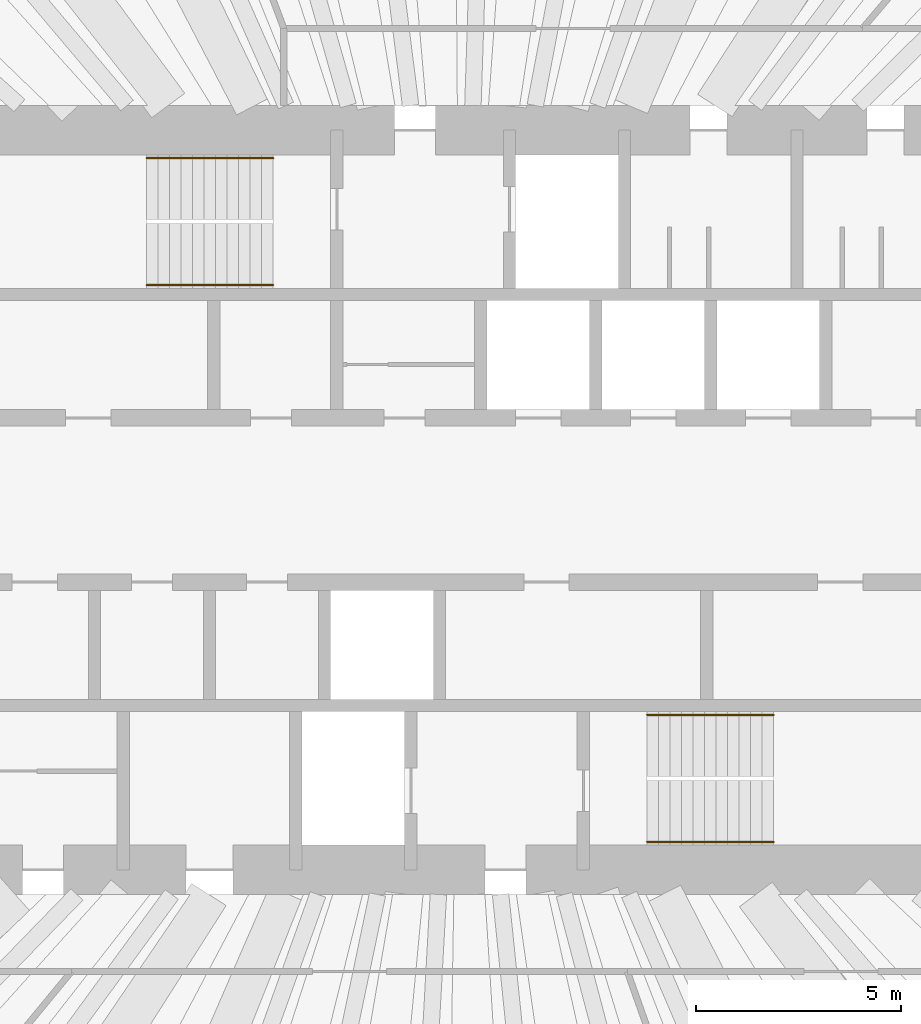
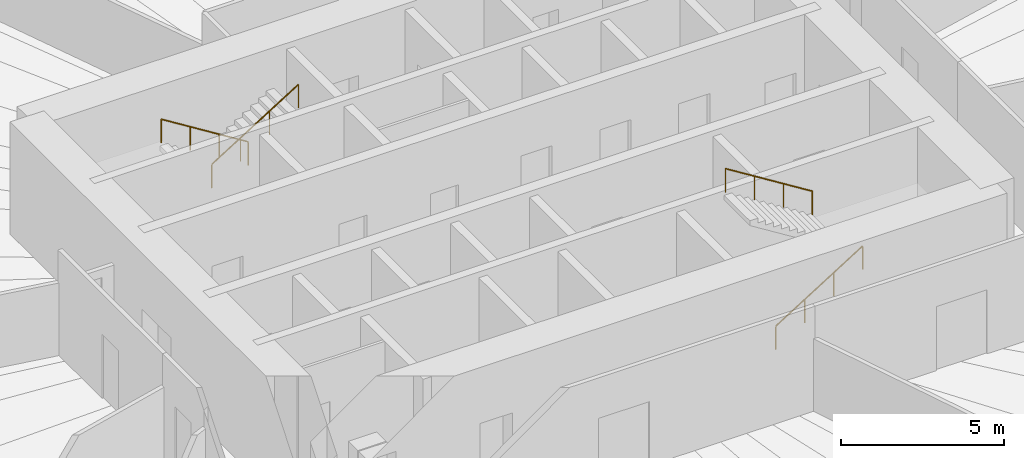
# One storey, part 12 of 12: 4 railings.
"""IFC4 building model written with IfcOpenShell, lengths in metres."""

from ifc_helpers import new_model, si_unit, direction, frame, origin, origin_2d, place, context, subcontext, project, spatial, circle, extrude, material, type_object, element, save


model = new_model("IFC4")

# Units and contexts
model_context = context("Model", 3, precision=1e-05, world=origin(), true_north=direction((0.0, 1.0)))
body_context = subcontext(model_context, "Body", "Model", "MODEL_VIEW")
ifc_project = project(units=[si_unit("LENGTHUNIT", "METRE"), si_unit("AREAUNIT", "SQUARE_METRE"), si_unit("VOLUMEUNIT", "CUBIC_METRE"), si_unit("PLANEANGLEUNIT", "RADIAN"), si_unit("MASSUNIT", "GRAM", prefix="KILO")], contexts=[model_context])

# Site, building, storey
site_placement = place(None, origin())
site = spatial("IfcSite", under=ifc_project, at=site_placement, CompositionType="ELEMENT")
building_placement = place(site_placement, origin())
building = spatial("IfcBuilding", under=site, at=building_placement, Name="Qingtian Harvest Tower", CompositionType="ELEMENT")
storey_placement = place(building_placement, frame((0.0, 0.0, 251.800048828125)))
storey = spatial("IfcBuildingStorey", under=building, at=storey_placement, Name="L55", CompositionType="ELEMENT", Elevation=251.800048828125)

# Railings
ifc_material = material(Name="Stainless steel handrail", Category="steel")
railing_type = type_object("IfcRailingType", Name="Handrail HR1", PredefinedType="HANDRAIL", material=ifc_material)
railing_1_placement = place(storey_placement, frame((-4.550048828125, 8.320068359375, 0.175048828125)))
element("IfcRailing", 1, at=railing_1_placement, inside=storey, type_object=railing_type, Name="Handrail HR1 S1 flight 1", PredefinedType="HANDRAIL", context=body_context, shape_type="SweptSolid", body=[
    extrude(circle(Radius=0.02392578125, at=origin_2d()), frame((0.0, 0.0, 0.8759765625), z_axis=(-0.848009633417, 0.0, 0.529980812513), x_axis=(0.0, -1.0, 0.0)), (0.0, 0.0, 1.0), 3.6318359375),
    extrude(circle(Radius=0.02099609375, at=origin_2d()), origin(), (0.0, 0.0, 1.0), 0.851806640625),
    extrude(circle(Radius=0.02099609375, at=origin_2d()), frame((-1.026611328125, 0.0, 0.6416015625)), (0.0, 0.0, 1.0), 0.851806640625),
    extrude(circle(Radius=0.02099609375, at=origin_2d()), frame((-2.05322265625, 0.0, 1.283203125)), (0.0, 0.0, 1.0), 0.851806640625),
    extrude(circle(Radius=0.02099609375, at=origin_2d()), frame((-3.079833984375, 0.0, 1.9248046875)), (0.0, 0.0, 1.0), 0.851806640625),
])
railing_2_placement = place(storey_placement, frame((-7.6298828125, 5.22998046875, 2.27490234375)))
element("IfcRailing", 2, at=railing_2_placement, inside=storey, type_object=railing_type, Name="Handrail HR1 S1 flight 2", PredefinedType="HANDRAIL", context=body_context, shape_type="SweptSolid", body=[
    extrude(circle(Radius=0.02392578125, at=origin_2d()), frame((0.0, 0.0, 0.8759765625), z_axis=(0.847979421464, 0.0, 0.530029150871), x_axis=(0.0, 1.0, 0.0)), (0.0, 0.0, 1.0), 3.632080078125),
    extrude(circle(Radius=0.02099609375, at=origin_2d()), origin(), (0.0, 0.0, 1.0), 0.851806640625),
    extrude(circle(Radius=0.02099609375, at=origin_2d()), frame((1.026611328125, 0.0, 0.6416015625)), (0.0, 0.0, 1.0), 0.851806640625),
    extrude(circle(Radius=0.02099609375, at=origin_2d()), frame((2.05322265625, 0.0, 1.283447265625)), (0.0, 0.0, 1.0), 0.851806640625),
    extrude(circle(Radius=0.02099609375, at=origin_2d()), frame((3.079833984375, 0.0, 1.925048828125)), (0.0, 0.0, 1.0), 0.851806640625),
])
railing_3_placement = place(storey_placement, frame((4.550048828125, -8.320068359375, 0.175048828125)))
element("IfcRailing", 3, at=railing_3_placement, inside=storey, type_object=railing_type, Name="Handrail HR1 S2 flight 1", PredefinedType="HANDRAIL", context=body_context, shape_type="SweptSolid", body=[
    extrude(circle(Radius=0.02392578125, at=origin_2d()), frame((0.0, 0.0, 0.8759765625), z_axis=(0.848009633417, 0.0, 0.529980812513), x_axis=(0.0, 1.0, 0.0)), (0.0, 0.0, 1.0), 3.6318359375),
    extrude(circle(Radius=0.02099609375, at=origin_2d()), origin(), (0.0, 0.0, 1.0), 0.851806640625),
    extrude(circle(Radius=0.02099609375, at=origin_2d()), frame((1.026611328125, 0.0, 0.6416015625)), (0.0, 0.0, 1.0), 0.851806640625),
    extrude(circle(Radius=0.02099609375, at=origin_2d()), frame((2.05322265625, 0.0, 1.283203125)), (0.0, 0.0, 1.0), 0.851806640625),
    extrude(circle(Radius=0.02099609375, at=origin_2d()), frame((3.079833984375, 0.0, 1.9248046875)), (0.0, 0.0, 1.0), 0.851806640625),
])
railing_4_placement = place(storey_placement, frame((7.6298828125, -5.22998046875, 2.27490234375)))
element("IfcRailing", 4, at=railing_4_placement, inside=storey, type_object=railing_type, Name="Handrail HR1 S2 flight 2", PredefinedType="HANDRAIL", context=body_context, shape_type="SweptSolid", body=[
    extrude(circle(Radius=0.02392578125, at=origin_2d()), frame((0.0, 0.0, 0.8759765625), z_axis=(-0.847979421464, 0.0, 0.530029150871), x_axis=(0.0, -1.0, 0.0)), (0.0, 0.0, 1.0), 3.632080078125),
    extrude(circle(Radius=0.02099609375, at=origin_2d()), origin(), (0.0, 0.0, 1.0), 0.851806640625),
    extrude(circle(Radius=0.02099609375, at=origin_2d()), frame((-1.026611328125, 0.0, 0.6416015625)), (0.0, 0.0, 1.0), 0.851806640625),
    extrude(circle(Radius=0.02099609375, at=origin_2d()), frame((-2.05322265625, 0.0, 1.283447265625)), (0.0, 0.0, 1.0), 0.851806640625),
    extrude(circle(Radius=0.02099609375, at=origin_2d()), frame((-3.079833984375, 0.0, 1.925048828125)), (0.0, 0.0, 1.0), 0.851806640625),
])

save(model, "model.ifc")
